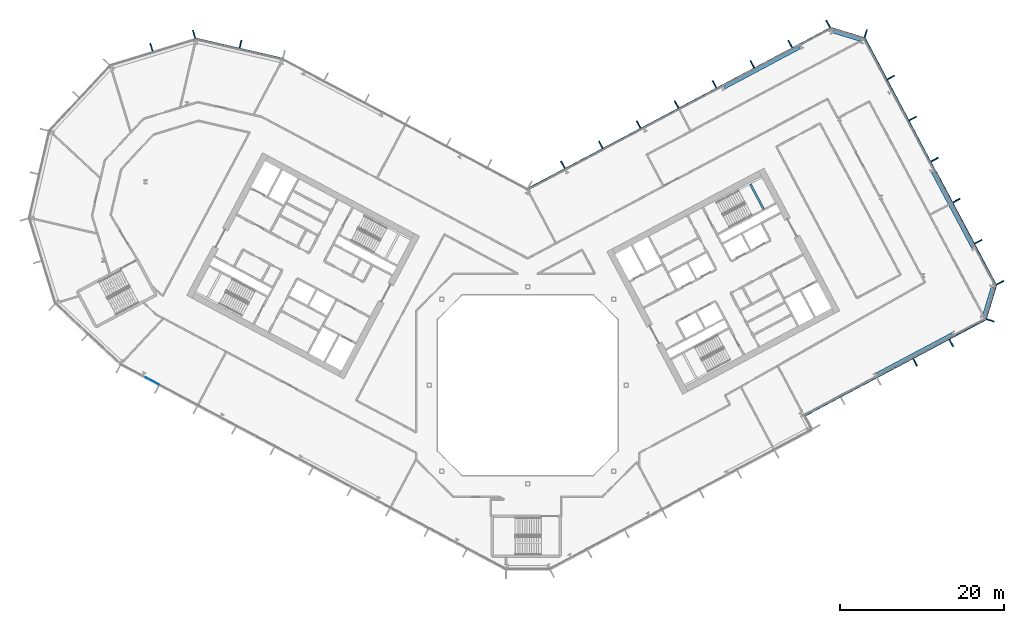
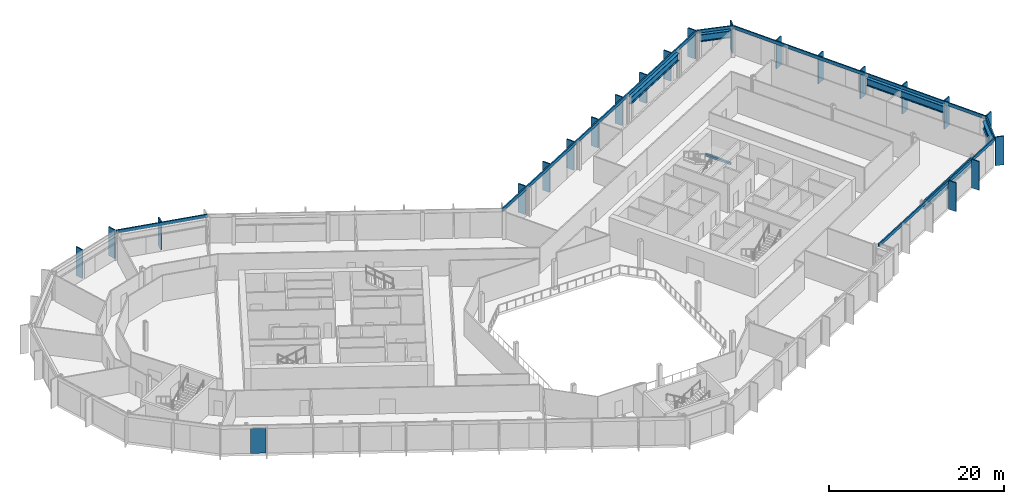
# One storey, part 10 of 28: 27 members, 6 beams, 1 plate, 8 elements without a shape of their own.
"""IFC4 building model written with IfcOpenShell, lengths in metres."""

from ifc_helpers import new_model, si_unit, direction, frame, origin, origin_2d, place, context, subcontext, project, spatial, rectangle, i_section, extrude, material, layer, layer_set, material_profile, profile_set, type_object, element, aggregate, save


model = new_model("IFC4")

# Units and contexts
model_context = context("Model", 3, precision=1e-05, world=origin(), true_north=direction((0.0, 1.0)))
body_context = subcontext(model_context, "Body", "Model", "MODEL_VIEW")
ifc_project = project(units=[si_unit("LENGTHUNIT", "METRE"), si_unit("AREAUNIT", "SQUARE_METRE"), si_unit("VOLUMEUNIT", "CUBIC_METRE"), si_unit("PLANEANGLEUNIT", "RADIAN"), si_unit("MASSUNIT", "GRAM", prefix="KILO")], contexts=[model_context])

# Site, building, storey
site_placement = place(None, origin())
site = spatial("IfcSite", under=ifc_project, at=site_placement, CompositionType="ELEMENT")
building_placement = place(site_placement, origin())
building = spatial("IfcBuilding", under=site, at=building_placement, Name="Cormorant Relay Tower", CompositionType="ELEMENT")
storey_placement = place(building_placement, frame((0.0, 0.0, 150.199951171875)))
storey = spatial("IfcBuildingStorey", under=building, at=storey_placement, Name="L31", CompositionType="ELEMENT", Elevation=150.199951171875)

# Curtain wall, members
ifc_material_1 = material(Name="Aluminium 6063-T6 anodised bronze", Category="aluminium")
ifc_layer_1 = layer(ifc_material_1, 0.199951171875)
ifc_layer_set_1 = layer_set([ifc_layer_1], Name="CW1 unitised bronze curtain wall with vertical fins")
curtain_wall_type = type_object("IfcCurtainWallType", Name="CW1 unitised bronze curtain wall with vertical fins", PredefinedType="NOTDEFINED", material=ifc_layer_set_1)
curtain_wall_1_placement = place(storey_placement, origin())
curtain_wall_1 = element("IfcCurtainWall", 1, at=curtain_wall_1_placement, inside=storey, type_object=curtain_wall_type, Name="CW1 curtain wall 4", PredefinedType="NOTDEFINED")
ifc_material_2 = material(Name="Aluminium 6063-T6 anodised bronze", Category="aluminium")
ifc_material_profile_1 = material_profile(ifc_material_2, rectangle(XDim=0.14990234375, YDim=1.0, at=origin_2d()), Name="AL 150x1000")
ifc_profile_set_1 = profile_set([ifc_material_profile_1], Name="Aluminium 6063-T6 anodised bronze")
member_type_1 = type_object("IfcMemberType", Name="CW1 bronze fin mullion 150 x 1000", PredefinedType="MULLION", material=ifc_profile_set_1)
member_1_placement = place(storey_placement, frame((47.21533203125, 2.793212890625, 0.0), z_axis=(0.0, 0.0, 1.0), x_axis=(0.882947592859, 0.469471562786, 0.0)))
member_1 = element("IfcMember", 2, at=member_1_placement, type_object=member_type_1, Name="CW1 fin 4.4", PredefinedType="MULLION", context=body_context, shape_type="SweptSolid", body=[
    extrude(rectangle(XDim=0.14990234375, YDim=1.0, at=origin_2d()), origin(), (0.0, 0.0, 1.0), 4.0),
])
member_2_placement = place(storey_placement, frame((51.630126953125, 5.140625, 0.0), z_axis=(0.0, 0.0, 1.0), x_axis=(0.882947592859, 0.469471562786, 0.0)))
member_2 = element("IfcMember", 3, at=member_2_placement, type_object=member_type_1, Name="CW1 fin 4.5", PredefinedType="MULLION", context=body_context, shape_type="SweptSolid", body=[
    extrude(rectangle(XDim=0.14990234375, YDim=1.0, at=origin_2d()), origin(), (0.0, 0.0, 1.0), 4.0),
])

# Curtain wall, member
curtain_wall_2_placement = place(storey_placement, origin())
curtain_wall_2 = element("IfcCurtainWall", 4, at=curtain_wall_2_placement, inside=storey, type_object=curtain_wall_type, Name="CW1 curtain wall 5", PredefinedType="NOTDEFINED")
member_3_placement = place(storey_placement, frame((56.385498046875, 7.9013671875, 0.0), z_axis=(0.0, 0.0, 1.0), x_axis=(0.292371704723, 0.956304755963, 0.0)))
member_3 = element("IfcMember", 5, at=member_3_placement, type_object=member_type_1, Name="CW1 fin 5.1", PredefinedType="MULLION", context=body_context, shape_type="SweptSolid", body=[
    extrude(rectangle(XDim=0.14990234375, YDim=1.0, at=origin_2d()), origin(), (0.0, 0.0, 1.0), 4.0),
])

# Curtain wall, members
curtain_wall_3_placement = place(storey_placement, origin())
curtain_wall_3 = element("IfcCurtainWall", 6, at=curtain_wall_3_placement, inside=storey, type_object=curtain_wall_type, Name="CW1 curtain wall 6", PredefinedType="NOTDEFINED")
member_4_placement = place(storey_placement, frame((57.57470703125, 12.491943359375, 0.0), z_axis=(0.0, 0.0, 1.0), x_axis=(-0.469471562786, 0.882947592859, 0.0)))
member_4 = element("IfcMember", 7, at=member_4_placement, type_object=member_type_1, Name="CW1 fin 6.1", PredefinedType="MULLION", context=body_context, shape_type="SweptSolid", body=[
    extrude(rectangle(XDim=0.14990234375, YDim=1.0, at=origin_2d()), origin(), (0.0, 0.0, 1.0), 4.0),
])
member_5_placement = place(storey_placement, frame((54.914306640625, 17.4951171875, 0.0), z_axis=(0.0, 0.0, 1.0), x_axis=(-0.469471562786, 0.882947592859, 0.0)))
member_5 = element("IfcMember", 8, at=member_5_placement, type_object=member_type_1, Name="CW1 fin 6.2", PredefinedType="MULLION", context=body_context, shape_type="SweptSolid", body=[
    extrude(rectangle(XDim=0.14990234375, YDim=1.0, at=origin_2d()), origin(), (0.0, 0.0, 1.0), 4.0),
])
member_6_placement = place(storey_placement, frame((52.25390625, 22.49853515625, 0.0), z_axis=(0.0, 0.0, 1.0), x_axis=(-0.469471562786, 0.882947592859, 0.0)))
member_6 = element("IfcMember", 9, at=member_6_placement, type_object=member_type_1, Name="CW1 fin 6.3", PredefinedType="MULLION", context=body_context, shape_type="SweptSolid", body=[
    extrude(rectangle(XDim=0.14990234375, YDim=1.0, at=origin_2d()), origin(), (0.0, 0.0, 1.0), 4.0),
])
member_7_placement = place(storey_placement, frame((49.59375, 27.501953125, 0.0), z_axis=(0.0, 0.0, 1.0), x_axis=(-0.469471562786, 0.882947592859, 0.0)))
member_7 = element("IfcMember", 10, at=member_7_placement, type_object=member_type_1, Name="CW1 fin 6.4", PredefinedType="MULLION", context=body_context, shape_type="SweptSolid", body=[
    extrude(rectangle(XDim=0.14990234375, YDim=1.0, at=origin_2d()), origin(), (0.0, 0.0, 1.0), 4.0),
])
member_8_placement = place(storey_placement, frame((46.933349609375, 32.50537109375, 0.0), z_axis=(0.0, 0.0, 1.0), x_axis=(-0.469471562786, 0.882947592859, 0.0)))
member_8 = element("IfcMember", 11, at=member_8_placement, type_object=member_type_1, Name="CW1 fin 6.5", PredefinedType="MULLION", context=body_context, shape_type="SweptSolid", body=[
    extrude(rectangle(XDim=0.14990234375, YDim=1.0, at=origin_2d()), origin(), (0.0, 0.0, 1.0), 4.0),
])
member_9_placement = place(storey_placement, frame((44.27294921875, 37.5087890625, 0.0), z_axis=(0.0, 0.0, 1.0), x_axis=(-0.469471562786, 0.882947592859, 0.0)))
member_9 = element("IfcMember", 12, at=member_9_placement, type_object=member_type_1, Name="CW1 fin 6.6", PredefinedType="MULLION", context=body_context, shape_type="SweptSolid", body=[
    extrude(rectangle(XDim=0.14990234375, YDim=1.0, at=origin_2d()), origin(), (0.0, 0.0, 1.0), 4.0),
])

# Curtain wall, member
curtain_wall_4_placement = place(storey_placement, origin())
curtain_wall_4 = element("IfcCurtainWall", 13, at=curtain_wall_4_placement, inside=storey, type_object=curtain_wall_type, Name="CW1 curtain wall 7", PredefinedType="NOTDEFINED")
member_10_placement = place(storey_placement, frame((41.19921875, 42.852783203125, 0.0), z_axis=(0.0, 0.0, 1.0), x_axis=(-0.956304755963, 0.292371704723, 0.0)))
member_10 = element("IfcMember", 14, at=member_10_placement, type_object=member_type_1, Name="CW1 fin 7.1", PredefinedType="MULLION", context=body_context, shape_type="SweptSolid", body=[
    extrude(rectangle(XDim=0.14990234375, YDim=1.0, at=origin_2d()), origin(), (0.0, 0.0, 1.0), 4.0),
])

# Curtain wall, members
curtain_wall_5_placement = place(storey_placement, origin())
curtain_wall_5 = element("IfcCurtainWall", 15, at=curtain_wall_5_placement, inside=storey, type_object=curtain_wall_type, Name="CW1 curtain wall 8", PredefinedType="NOTDEFINED")
member_11_placement = place(storey_placement, frame((36.608642578125, 44.0419921875, 0.0), z_axis=(0.0, 0.0, 1.0), x_axis=(-0.882947592859, -0.469471562786, 0.0)))
member_11 = element("IfcMember", 16, at=member_11_placement, type_object=member_type_1, Name="CW1 fin 8.1", PredefinedType="MULLION", context=body_context, shape_type="SweptSolid", body=[
    extrude(rectangle(XDim=0.14990234375, YDim=1.0, at=origin_2d()), origin(), (0.0, 0.0, 1.0), 4.0),
])
member_12_placement = place(storey_placement, frame((31.991455078125, 41.5869140625, 0.0), z_axis=(0.0, 0.0, 1.0), x_axis=(-0.882947592859, -0.469471562786, 0.0)))
member_12 = element("IfcMember", 17, at=member_12_placement, type_object=member_type_1, Name="CW1 fin 8.2", PredefinedType="MULLION", context=body_context, shape_type="SweptSolid", body=[
    extrude(rectangle(XDim=0.14990234375, YDim=1.0, at=origin_2d()), origin(), (0.0, 0.0, 1.0), 4.0),
])
member_13_placement = place(storey_placement, frame((27.37451171875, 39.132080078125, 0.0), z_axis=(0.0, 0.0, 1.0), x_axis=(-0.882947592859, -0.469471562786, 0.0)))
member_13 = element("IfcMember", 18, at=member_13_placement, type_object=member_type_1, Name="CW1 fin 8.3", PredefinedType="MULLION", context=body_context, shape_type="SweptSolid", body=[
    extrude(rectangle(XDim=0.14990234375, YDim=1.0, at=origin_2d()), origin(), (0.0, 0.0, 1.0), 4.0),
])
member_14_placement = place(storey_placement, frame((22.757080078125, 36.677001953125, 0.0), z_axis=(0.0, 0.0, 1.0), x_axis=(-0.882947592859, -0.469471562786, 0.0)))
member_14 = element("IfcMember", 19, at=member_14_placement, type_object=member_type_1, Name="CW1 fin 8.4", PredefinedType="MULLION", context=body_context, shape_type="SweptSolid", body=[
    extrude(rectangle(XDim=0.14990234375, YDim=1.0, at=origin_2d()), origin(), (0.0, 0.0, 1.0), 4.0),
])
member_15_placement = place(storey_placement, frame((18.139892578125, 34.221923828125, 0.0), z_axis=(0.0, 0.0, 1.0), x_axis=(-0.882947592859, -0.469471562786, 0.0)))
member_15 = element("IfcMember", 20, at=member_15_placement, type_object=member_type_1, Name="CW1 fin 8.5", PredefinedType="MULLION", context=body_context, shape_type="SweptSolid", body=[
    extrude(rectangle(XDim=0.14990234375, YDim=1.0, at=origin_2d()), origin(), (0.0, 0.0, 1.0), 4.0),
])
member_16_placement = place(storey_placement, frame((13.52294921875, 31.76708984375, 0.0), z_axis=(0.0, 0.0, 1.0), x_axis=(-0.882947592859, -0.469471562786, 0.0)))
member_16 = element("IfcMember", 21, at=member_16_placement, type_object=member_type_1, Name="CW1 fin 8.6", PredefinedType="MULLION", context=body_context, shape_type="SweptSolid", body=[
    extrude(rectangle(XDim=0.14990234375, YDim=1.0, at=origin_2d()), origin(), (0.0, 0.0, 1.0), 4.0),
])
member_17_placement = place(storey_placement, frame((8.90576171875, 29.31201171875, 0.0), z_axis=(0.0, 0.0, 1.0), x_axis=(-0.882947592859, -0.469471562786, 0.0)))
member_17 = element("IfcMember", 22, at=member_17_placement, type_object=member_type_1, Name="CW1 fin 8.7", PredefinedType="MULLION", context=body_context, shape_type="SweptSolid", body=[
    extrude(rectangle(XDim=0.14990234375, YDim=1.0, at=origin_2d()), origin(), (0.0, 0.0, 1.0), 4.0),
])
member_18_placement = place(storey_placement, frame((4.28857421875, 26.85693359375, 0.0), z_axis=(0.0, 0.0, 1.0), x_axis=(-0.882947592859, -0.469471562786, 0.0)))
member_18 = element("IfcMember", 23, at=member_18_placement, type_object=member_type_1, Name="CW1 fin 8.8", PredefinedType="MULLION", context=body_context, shape_type="SweptSolid", body=[
    extrude(rectangle(XDim=0.14990234375, YDim=1.0, at=origin_2d()), origin(), (0.0, 0.0, 1.0), 4.0),
])

# Curtain wall, member
curtain_wall_6_placement = place(storey_placement, origin())
curtain_wall_6 = element("IfcCurtainWall", 24, at=curtain_wall_6_placement, inside=storey, type_object=curtain_wall_type, Name="CW1 curtain wall 10", PredefinedType="NOTDEFINED")
member_19_placement = place(storey_placement, frame((-35.01220703125, 41.57275390625, 0.0), z_axis=(0.0, 0.0, 1.0), x_axis=(-0.974370064785, 0.224951054344, 0.0)))
member_19 = element("IfcMember", 25, at=member_19_placement, type_object=member_type_1, Name="CW1 fin 10.2", PredefinedType="MULLION", context=body_context, shape_type="SweptSolid", body=[
    extrude(rectangle(XDim=0.14990234375, YDim=1.0, at=origin_2d()), origin(), (0.0, 0.0, 1.0), 4.0),
])

# Curtain wall, members
curtain_wall_7_placement = place(storey_placement, origin())
curtain_wall_7 = element("IfcCurtainWall", 26, at=curtain_wall_7_placement, inside=storey, type_object=curtain_wall_type, Name="CW1 curtain wall 11", PredefinedType="NOTDEFINED")
member_20_placement = place(storey_placement, frame((-40.670166015625, 42.78271484375, 0.0), z_axis=(0.0, 0.0, 1.0), x_axis=(-0.956304755963, -0.292371704723, 0.0)))
member_20 = element("IfcMember", 27, at=member_20_placement, type_object=member_type_1, Name="CW1 fin 11.1", PredefinedType="MULLION", context=body_context, shape_type="SweptSolid", body=[
    extrude(rectangle(XDim=0.14990234375, YDim=1.0, at=origin_2d()), origin(), (0.0, 0.0, 1.0), 4.0),
])
member_21_placement = place(storey_placement, frame((-45.867919921875, 41.193603515625, 0.0), z_axis=(0.0, 0.0, 1.0), x_axis=(-0.956304755963, -0.292371704723, 0.0)))
member_21 = element("IfcMember", 28, at=member_21_placement, type_object=member_type_1, Name="CW1 fin 11.2", PredefinedType="MULLION", context=body_context, shape_type="SweptSolid", body=[
    extrude(rectangle(XDim=0.14990234375, YDim=1.0, at=origin_2d()), origin(), (0.0, 0.0, 1.0), 4.0),
])
aggregate(curtain_wall_7, [member_20, member_21])

# Member
ifc_material_3 = material(Name="Aluminium 6063-T6 anodised bronze", Category="aluminium")
ifc_material_profile_2 = material_profile(ifc_material_3, rectangle(XDim=0.159912109375, YDim=0.449951171875, at=origin_2d()), Name="AL 160x450")
ifc_profile_set_2 = profile_set([ifc_material_profile_2], Name="Aluminium 6063-T6 anodised bronze")
member_type_2 = type_object("IfcMemberType", Name="CW1 bronze transom 160 x 450", PredefinedType="USERDEFINED", material=ifc_profile_set_2)
member_22_placement = place(storey_placement, frame((33.69873046875, -3.73681640625, 3.775146484375), z_axis=(0.88294749795, 0.469471741284, 0.0), x_axis=(-0.469471741284, 0.88294749795, 0.0)))
member_22 = element("IfcMember", 29, at=member_22_placement, type_object=member_type_2, Name="CW1 transom 4", ObjectType="TRANSOM", PredefinedType="USERDEFINED", context=body_context, shape_type="SweptSolid", body=[
    extrude(rectangle(XDim=0.159912109375, YDim=0.449951171875, at=origin_2d()), origin(), (0.0, 0.0, 1.0), 25.0),
])

aggregate(curtain_wall_1, [member_1, member_2, member_22])

member_23_placement = place(storey_placement, frame((55.830810546875, 8.07080078125, 3.775146484375), z_axis=(0.292374957137, 0.956303761594, 0.0), x_axis=(-0.956303761594, 0.292374957137, 0.0)))
member_23 = element("IfcMember", 30, at=member_23_placement, type_object=member_type_2, Name="CW1 transom 5", ObjectType="TRANSOM", PredefinedType="USERDEFINED", context=body_context, shape_type="SweptSolid", body=[
    extrude(rectangle(XDim=0.159912109375, YDim=0.449951171875, at=origin_2d()), origin(), (0.0, 0.0, 1.0), 4.24267578125),
])

aggregate(curtain_wall_2, [member_3, member_23])

member_24_placement = place(storey_placement, frame((57.0625, 12.219482421875, 3.775146484375), z_axis=(-0.469468277635, 0.882949339597, 0.0), x_axis=(-0.882949339597, -0.469468277635, 0.0)))
member_24 = element("IfcMember", 31, at=member_24_placement, type_object=member_type_2, Name="CW1 transom 6", ObjectType="TRANSOM", PredefinedType="USERDEFINED", context=body_context, shape_type="SweptSolid", body=[
    extrude(rectangle(XDim=0.159912109375, YDim=0.449951171875, at=origin_2d()), origin(), (0.0, 0.0, 1.0), 34.0),
])

aggregate(curtain_wall_3, [member_4, member_5, member_6, member_7, member_8, member_9, member_24])

member_25_placement = place(storey_placement, frame((41.02978515625, 42.298095703125, 3.775146484375), z_axis=(-0.956303761594, 0.292374957137, 0.0), x_axis=(-0.292374957137, -0.956303761594, 0.0)))
member_25 = element("IfcMember", 32, at=member_25_placement, type_object=member_type_2, Name="CW1 transom 7", ObjectType="TRANSOM", PredefinedType="USERDEFINED", context=body_context, shape_type="SweptSolid", body=[
    extrude(rectangle(XDim=0.159912109375, YDim=0.449951171875, at=origin_2d()), origin(), (0.0, 0.0, 1.0), 4.24267578125),
])

aggregate(curtain_wall_4, [member_10, member_25])

member_26_placement = place(storey_placement, frame((36.881103515625, 43.52978515625, 3.775146484375), z_axis=(-0.88294882701, -0.469469241677, 0.0), x_axis=(0.469469241677, -0.88294882701, 0.0)))
member_26 = element("IfcMember", 33, at=member_26_placement, type_object=member_type_2, Name="CW1 transom 8", ObjectType="TRANSOM", PredefinedType="USERDEFINED", context=body_context, shape_type="SweptSolid", body=[
    extrude(rectangle(XDim=0.159912109375, YDim=0.449951171875, at=origin_2d()), origin(), (0.0, 0.0, 1.0), 41.834228515625),
])

aggregate(curtain_wall_5, [member_11, member_12, member_13, member_14, member_15, member_16, member_17, member_18, member_26])

member_27_placement = place(storey_placement, frame((-29.8466796875, 39.784912109375, 3.775146484375), z_axis=(-0.974365070969, 0.224972683844, 0.0), x_axis=(-0.224972683844, -0.974365070969, 0.0)))
member_27 = element("IfcMember", 34, at=member_27_placement, type_object=member_type_2, Name="CW1 transom 10", ObjectType="TRANSOM", PredefinedType="USERDEFINED", context=body_context, shape_type="SweptSolid", body=[
    extrude(rectangle(XDim=0.159912109375, YDim=0.449951171875, at=origin_2d()), origin(), (0.0, 0.0, 1.0), 10.870361328125),
])

aggregate(curtain_wall_6, [member_19, member_27])

# Beams
ifc_material_4 = material(Name="Steel ASTM A992 (Fy 345 MPa)", Category="steel")
ifc_material_profile_3 = material_profile(ifc_material_4, i_section(OverallWidth=0.4013671875, OverallDepth=1.000732421875, WebThickness=0.01904296875, FlangeThickness=0.0361328125, FilletRadius=0.02978515625, at=origin_2d()), Name="W1000x371")
ifc_profile_set_3 = profile_set([ifc_material_profile_3], Name="Steel ASTM A992 (Fy 345 MPa)")
beam_type_1 = type_object("IfcBeamType", Name="Spandrel W1000x371", PredefinedType="SPANDREL", material=ifc_profile_set_3)
beam_1_placement = place(storey_placement, frame((42.5595703125, 1.337890625, 3.1396484375), z_axis=(0.882955922346, 0.469455896963, 0.0), x_axis=(-0.469455896963, 0.882955922346, 0.0)))
element("IfcBeam", 35, at=beam_1_placement, inside=storey, type_object=beam_type_1, Name="Spandrel beam L31-004", PredefinedType="SPANDREL", context=body_context, shape_type="SweptSolid", body=[
    extrude(i_section(OverallWidth=0.4013671875, OverallDepth=1.000732421875, WebThickness=0.01904296875, FlangeThickness=0.0361328125, FilletRadius=0.02978515625, at=origin_2d()), origin(), (0.0, 0.0, 1.0), 10.388427734375),
])
beam_2_placement = place(storey_placement, frame((55.62548828125, 8.495849609375, 3.1396484375), z_axis=(0.29237248799, 0.956304516494, 0.0), x_axis=(-0.956304516494, 0.29237248799, 0.0)))
element("IfcBeam", 36, at=beam_2_placement, inside=storey, type_object=beam_type_1, Name="Spandrel beam L31-005", PredefinedType="SPANDREL", context=body_context, shape_type="SweptSolid", body=[
    extrude(i_section(OverallWidth=0.4013671875, OverallDepth=1.000732421875, WebThickness=0.01904296875, FlangeThickness=0.0361328125, FilletRadius=0.02978515625, at=origin_2d()), origin(), (0.0, 0.0, 1.0), 3.585693359375),
])
beam_3_placement = place(storey_placement, frame((54.24169921875, 16.841796875, 3.1396484375), z_axis=(-0.469474218299, 0.882946180893, 0.0), x_axis=(-0.882946180893, -0.469474218299, 0.0)))
element("IfcBeam", 37, at=beam_3_placement, inside=storey, type_object=beam_type_1, Name="Spandrel beam L31-006", PredefinedType="SPANDREL", context=body_context, shape_type="SweptSolid", body=[
    extrude(i_section(OverallWidth=0.4013671875, OverallDepth=1.000732421875, WebThickness=0.01904296875, FlangeThickness=0.0361328125, FilletRadius=0.02978515625, at=origin_2d()), origin(), (0.0, 0.0, 1.0), 10.388671875),
])
beam_4_placement = place(storey_placement, frame((40.605224609375, 42.0927734375, 3.1396484375), z_axis=(-0.956311914022, 0.292348290742, 0.0), x_axis=(-0.292348290742, -0.956311914022, 0.0)))
element("IfcBeam", 38, at=beam_4_placement, inside=storey, type_object=beam_type_1, Name="Spandrel beam L31-007", PredefinedType="SPANDREL", context=body_context, shape_type="SweptSolid", body=[
    extrude(i_section(OverallWidth=0.4013671875, OverallDepth=1.000732421875, WebThickness=0.01904296875, FlangeThickness=0.0361328125, FilletRadius=0.02978515625, at=origin_2d()), origin(), (0.0, 0.0, 1.0), 3.585205078125),
])
beam_5_placement = place(storey_placement, frame((33.141357421875, 41.17822265625, 3.1396484375), z_axis=(-0.882955922346, -0.469455896963, 0.0), x_axis=(0.469455896963, -0.882955922346, 0.0)))
element("IfcBeam", 39, at=beam_5_placement, inside=storey, type_object=beam_type_1, Name="Spandrel beam L31-008", PredefinedType="SPANDREL", context=body_context, shape_type="SweptSolid", body=[
    extrude(i_section(OverallWidth=0.4013671875, OverallDepth=1.000732421875, WebThickness=0.01904296875, FlangeThickness=0.0361328125, FilletRadius=0.02978515625, at=origin_2d()), origin(), (0.0, 0.0, 1.0), 10.388427734375),
])
ifc_material_5 = material(Name="Concrete 50 MPa", Category="concrete")
ifc_material_profile_4 = material_profile(ifc_material_5, rectangle(XDim=0.25, YDim=0.300048828125, at=origin_2d()), Name="RC 250x300")
ifc_profile_set_4 = profile_set([ifc_material_profile_4], Name="Concrete 50 MPa")
beam_type_2 = type_object("IfcBeamType", Name="Stair landing ledge beam 250x300", PredefinedType="BEAM", material=ifc_profile_set_4)
beam_6_placement = place(storey_placement, frame((28.755126953125, 21.4619140625, 1.650146484375), z_axis=(-0.469463917486, 0.882951657895, 0.0), x_axis=(-0.882951657895, -0.469463917486, 0.0)))
element("IfcBeam", 40, at=beam_6_placement, inside=storey, type_object=beam_type_2, Name="B2 landing ledge beam", PredefinedType="BEAM", context=body_context, shape_type="SweptSolid", body=[
    extrude(rectangle(XDim=0.25, YDim=0.300048828125, at=origin_2d()), origin(), (0.0, 0.0, 1.0), 3.449951171875),
])

# Curtain wall, plate
curtain_wall_8_placement = place(storey_placement, origin())
curtain_wall_8 = element("IfcCurtainWall", 41, at=curtain_wall_8_placement, inside=storey, type_object=curtain_wall_type, Name="CW1 curtain wall 16", PredefinedType="NOTDEFINED")
ifc_material_6 = material(Name="Tinted laminated glass", Category="glass")
ifc_layer_2 = layer(ifc_material_6, 0.0400390625)
ifc_layer_set_2 = layer_set([ifc_layer_2], Name="CW1 tinted vision panel 1800 module")
plate_type = type_object("IfcPlateType", Name="CW1 tinted vision panel 1800 module", PredefinedType="CURTAIN_PANEL", material=ifc_layer_set_2)
plate_placement = place(storey_placement, frame((-45.767578125, 0.5283203125, 0.0), z_axis=(0.0, 0.0, 1.0), x_axis=(0.882947592859, -0.469471562786, 0.0)))
plate = element("IfcPlate", 42, at=plate_placement, type_object=plate_type, Name="CW1 panel V01", PredefinedType="CURTAIN_PANEL", context=body_context, shape_type="SweptSolid", body=[
    extrude(rectangle(XDim=1.800048828125, YDim=0.0400390625, at=origin_2d()), origin(), (0.0, 0.0, 1.0), 3.550048828125),
])
aggregate(curtain_wall_8, [plate])

save(model, "model.ifc")
